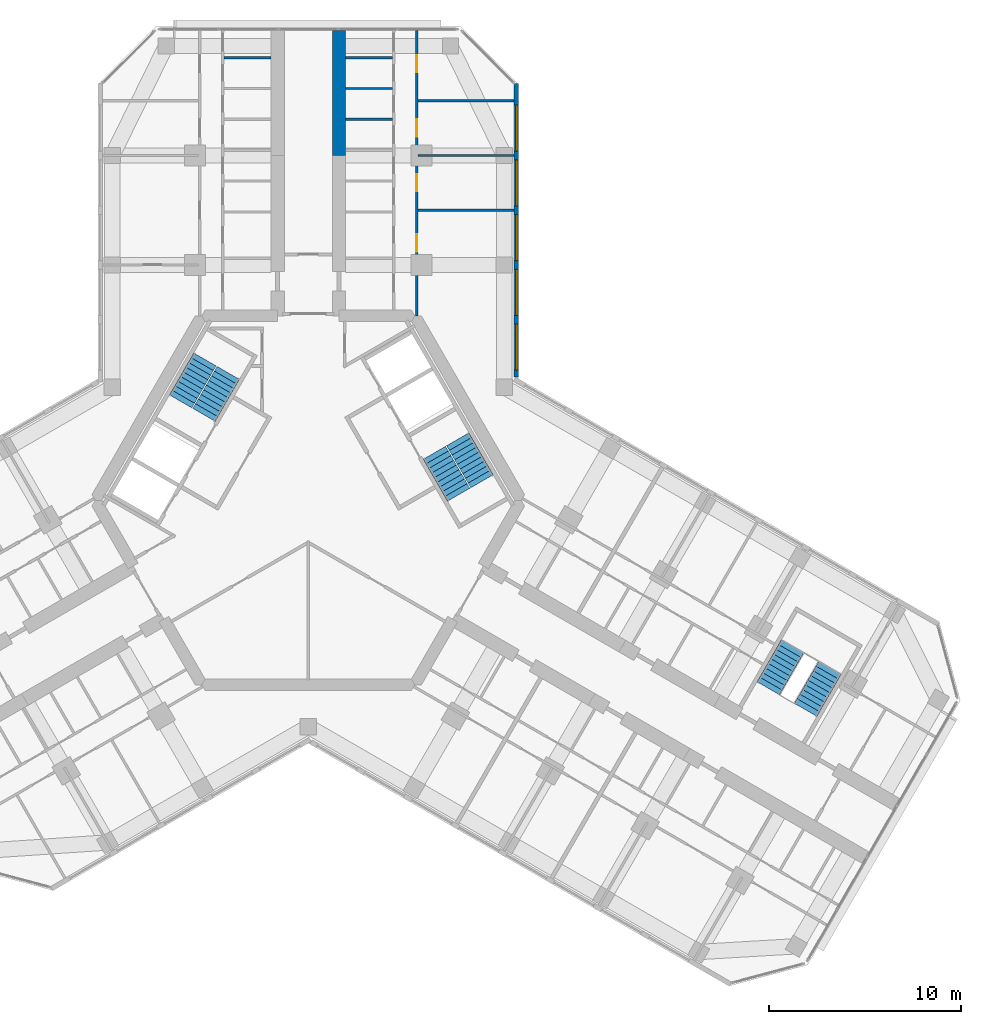
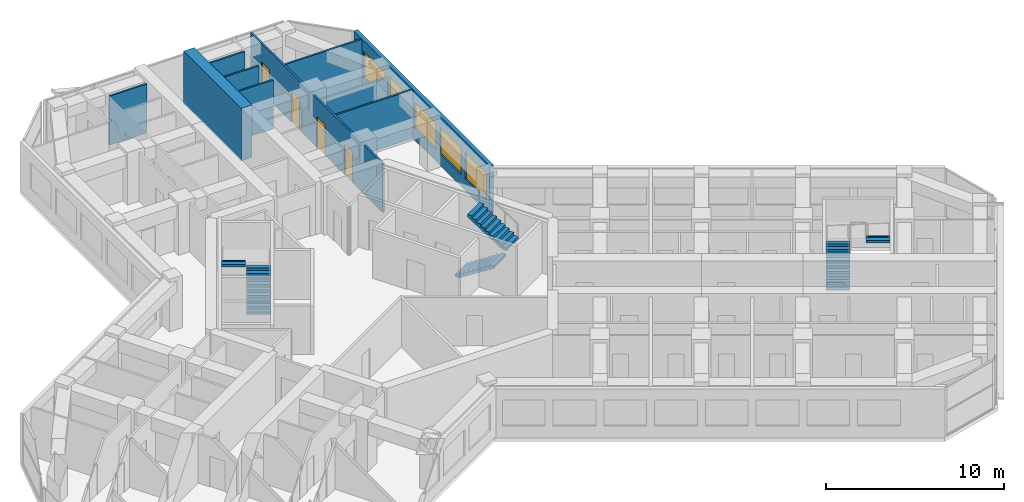
# One storey, part 15 of 16: 10 walls, 6 stair flights, 5 windows, 4 doors, 9 openings, 3 elements without a shape of their own.
"""IFC4 building model written with IfcOpenShell, lengths in metres."""

from ifc_helpers import new_model, si_unit, direction, frame, frame_2d, origin, place, context, subcontext, project, spatial, polyline, rectangle, outline, extrude, material, layer, layer_set, type_object, element, fill, aggregate, save


model = new_model("IFC4")

# Units and contexts
model_context = context("Model", 3, precision=1e-05, world=origin(), true_north=direction((0.0, 1.0)))
body_context = subcontext(model_context, "Body", "Model", "MODEL_VIEW")
ifc_project = project(units=[si_unit("LENGTHUNIT", "METRE"), si_unit("AREAUNIT", "SQUARE_METRE"), si_unit("VOLUMEUNIT", "CUBIC_METRE"), si_unit("PLANEANGLEUNIT", "RADIAN"), si_unit("MASSUNIT", "GRAM", prefix="KILO")], contexts=[model_context])

# Site, building, storey
site_placement = place(None, origin())
site = spatial("IfcSite", under=ifc_project, at=site_placement, CompositionType="ELEMENT")
building_placement = place(site_placement, origin())
building = spatial("IfcBuilding", under=site, at=building_placement, Name="Kosmar Iwan School Tower", CompositionType="ELEMENT")
storey_placement = place(building_placement, frame((0.0, 0.0, 253.199951171875)))
storey = spatial("IfcBuildingStorey", under=building, at=storey_placement, Name="L64", CompositionType="ELEMENT", Elevation=253.199951171875)

# Walls
ifc_material_1 = material(Name="Concrete C50/60", Category="concrete")
ifc_layer_1 = layer(ifc_material_1, 0.699951171875)
ifc_layer_set_1 = layer_set([ifc_layer_1], Name="Corridor buttress wall 700")
wall_type_1 = type_object("IfcWallType", Name="Corridor buttress wall 700", PredefinedType="SHEAR", material=ifc_layer_set_1)
wall_1_placement = place(storey_placement, frame((1.60009765625, 17.949951171875, 0.0), z_axis=(0.0, 0.0, 1.0), x_axis=(0.0, 1.0, 0.0)))
element("IfcWall", 1, at=wall_1_placement, inside=storey, type_object=wall_type_1, Name="Corridor wall AR bay 2", PredefinedType="SHEAR", context=body_context, shape_type="SweptSolid", body=[
    extrude(rectangle(XDim=6.4951171875, YDim=0.699951171875, at=frame_2d((3.24755859375, 0.0))), origin(), (0.0, 0.0, 1.0), 3.60009765625),
])
ifc_material_2 = material(Name="Gypsum board on steel studs", Category="steel")
ifc_layer_2 = layer(ifc_material_2, 0.1201171875)
ifc_layer_set_2 = layer_set([ifc_layer_2], Name="Dwelling partition 120")
wall_type_2 = type_object("IfcWallType", Name="Dwelling partition 120", PredefinedType="PARTITIONING", material=ifc_layer_set_2)
wall_2_placement = place(storey_placement, frame((-1.949951171875, 23.043212890625, 0.0), z_axis=(0.0, 0.0, 1.0), x_axis=(-1.0, 0.0, 0.0)))
element("IfcWall", 2, at=wall_2_placement, inside=storey, type_object=wall_type_2, Name="Partition L64-AL1-Y7", PredefinedType="PARTITIONING", context=body_context, shape_type="SweptSolid", body=[
    extrude(rectangle(XDim=2.43994140625, YDim=0.1201171875, at=frame_2d((1.219970703125, 0.0))), origin(), (0.0, 0.0, 1.0), 3.35009765625),
])

# Wall, openings, doors
wall_3_placement = place(storey_placement, frame((5.64990234375, 9.60009765625, 0.0), z_axis=(0.0, 0.0, 1.0), x_axis=(0.0, 1.0, 0.0)))
wall_3 = element("IfcWall", 3, at=wall_3_placement, inside=storey, type_object=wall_type_2, Name="Partition L64-AR1-W2", PredefinedType="PARTITIONING", context=body_context, shape_type="SweptSolid", body=[
    extrude(rectangle(XDim=14.844970703125, YDim=0.1201171875, at=frame_2d((7.42236328125, 0.0))), origin(), (0.0, 0.0, 1.0), 3.35009765625),
])
opening_1_placement = place(wall_3_placement, frame((3.35009765625, 0.0, 0.0)))
opening_1 = element("IfcOpeningElement", 4, at=opening_1_placement, cuts=wall_3, Name="Opening D2", PredefinedType="OPENING", context=body_context, shape_type="SweptSolid", body=[
    extrude(rectangle(XDim=0.89990234375, YDim=2.10009765625, at=frame_2d((0.449951171875, 1.050048828125))), frame((0.0, 0.072021484375, 0.0), z_axis=(0.0, -1.0, 0.0), x_axis=(1.0, 0.0, 0.0)), (0.0, 0.0, 1.0), 0.14404296875),
])
opening_2_placement = place(wall_3_placement, frame((6.47509765625, 0.0, 0.0)))
opening_2 = element("IfcOpeningElement", 5, at=opening_2_placement, cuts=wall_3, Name="Opening D2", PredefinedType="OPENING", context=body_context, shape_type="SweptSolid", body=[
    extrude(rectangle(XDim=0.89990234375, YDim=2.10009765625, at=frame_2d((0.449951171875, 1.050048828125))), frame((0.0, 0.072021484375, 0.0), z_axis=(0.0, -1.0, 0.0), x_axis=(1.0, 0.0, 0.0)), (0.0, 0.0, 1.0), 0.14404296875),
])
opening_3_placement = place(wall_3_placement, frame((9.324951171875, 0.0, 0.0)))
opening_3 = element("IfcOpeningElement", 6, at=opening_3_placement, cuts=wall_3, Name="Opening D2", PredefinedType="OPENING", context=body_context, shape_type="SweptSolid", body=[
    extrude(rectangle(XDim=0.89990234375, YDim=2.10009765625, at=frame_2d((0.449951171875, 1.050048828125))), frame((0.0, 0.072021484375, 0.0), z_axis=(0.0, -1.0, 0.0), x_axis=(1.0, 0.0, 0.0)), (0.0, 0.0, 1.0), 0.14404296875),
])
opening_4_placement = place(wall_3_placement, frame((12.675048828125, 0.0, 0.0)))
opening_4 = element("IfcOpeningElement", 7, at=opening_4_placement, cuts=wall_3, Name="Opening D2", PredefinedType="OPENING", context=body_context, shape_type="SweptSolid", body=[
    extrude(rectangle(XDim=0.89990234375, YDim=2.10009765625, at=frame_2d((0.449951171875, 1.050048828125))), frame((0.0, 0.072021484375, 0.0), z_axis=(0.0, -1.0, 0.0), x_axis=(1.0, 0.0, 0.0)), (0.0, 0.0, 1.0), 0.14404296875),
])
ifc_material_3 = material(Name="Timber door in timber frame", Category="wood")
door_type = type_object("IfcDoorType", Name="Internal door 900x2100", OperationType="SINGLE_SWING_LEFT", PredefinedType="DOOR", material=ifc_material_3)
door_1_placement = place(opening_1_placement, origin())
door_1 = element("IfcDoor", 8, at=door_1_placement, inside=storey, type_object=door_type, Name="Living room and kitchen door L64-AR1-F1", OperationType="SINGLE_SWING_LEFT", OverallHeight=2.10009765625, OverallWidth=0.89990234375, PredefinedType="DOOR", context=body_context, shape_type="SweptSolid", body=[
    extrude(rectangle(XDim=0.89990234375, YDim=2.10009765625, at=frame_2d((0.449951171875, 1.050048828125))), frame((0.0, 0.02490234375, 0.0), z_axis=(0.0, -1.0, 0.0), x_axis=(1.0, 0.0, 0.0)), (0.0, 0.0, 1.0), 0.050048828125),
])
fill(opening_1, door_1)
door_2_placement = place(opening_2_placement, origin())
door_2 = element("IfcDoor", 9, at=door_2_placement, inside=storey, type_object=door_type, Name="Grandparents' suite door L64-AR1-F2", OperationType="SINGLE_SWING_LEFT", OverallHeight=2.10009765625, OverallWidth=0.89990234375, PredefinedType="DOOR", context=body_context, shape_type="SweptSolid", body=[
    extrude(rectangle(XDim=0.89990234375, YDim=2.10009765625, at=frame_2d((0.449951171875, 1.050048828125))), frame((0.0, 0.02490234375, 0.0), z_axis=(0.0, -1.0, 0.0), x_axis=(1.0, 0.0, 0.0)), (0.0, 0.0, 1.0), 0.050048828125),
])
fill(opening_2, door_2)
door_3_placement = place(opening_3_placement, origin())
door_3 = element("IfcDoor", 10, at=door_3_placement, inside=storey, type_object=door_type, Name="Bedroom 1 door L64-AR1-F3", OperationType="SINGLE_SWING_RIGHT", OverallHeight=2.10009765625, OverallWidth=0.89990234375, PredefinedType="DOOR", context=body_context, shape_type="SweptSolid", body=[
    extrude(rectangle(XDim=0.89990234375, YDim=2.10009765625, at=frame_2d((0.449951171875, 1.050048828125))), frame((0.0, 0.02490234375, 0.0), z_axis=(0.0, -1.0, 0.0), x_axis=(1.0, 0.0, 0.0)), (0.0, 0.0, 1.0), 0.050048828125),
])
fill(opening_3, door_3)
door_4_placement = place(opening_4_placement, origin())
door_4 = element("IfcDoor", 11, at=door_4_placement, inside=storey, type_object=door_type, Name="Bedroom 2 door L64-AR1-F4", OperationType="SINGLE_SWING_RIGHT", OverallHeight=2.10009765625, OverallWidth=0.89990234375, PredefinedType="DOOR", context=body_context, shape_type="SweptSolid", body=[
    extrude(rectangle(XDim=0.89990234375, YDim=2.10009765625, at=frame_2d((0.449951171875, 1.050048828125))), frame((0.0, 0.02490234375, 0.0), z_axis=(0.0, -1.0, 0.0), x_axis=(1.0, 0.0, 0.0)), (0.0, 0.0, 1.0), 0.050048828125),
])
fill(opening_4, door_4)

# Walls
wall_4_placement = place(storey_placement, frame((5.7099609375, 15.10009765625, 0.0), z_axis=(0.0, 0.0, 1.0), x_axis=(1.0, 0.0, 0.0)))
element("IfcWall", 12, at=wall_4_placement, inside=storey, type_object=wall_type_2, Name="Partition L64-AR1-X1", PredefinedType="PARTITIONING", context=body_context, shape_type="SweptSolid", body=[
    extrude(rectangle(XDim=4.989990234375, YDim=0.1201171875, at=frame_2d((2.4951171875, 0.0))), origin(), (0.0, 0.0, 1.0), 3.35009765625),
])
wall_5_placement = place(storey_placement, frame((5.7099609375, 17.949951171875, 0.0), z_axis=(0.0, 0.0, 1.0), x_axis=(1.0, 0.0, 0.0)))
element("IfcWall", 13, at=wall_5_placement, inside=storey, type_object=wall_type_2, Name="Partition L64-AR1-X2", PredefinedType="PARTITIONING", context=body_context, shape_type="SweptSolid", body=[
    extrude(rectangle(XDim=4.989990234375, YDim=0.1201171875, at=frame_2d((2.4951171875, 0.0))), origin(), (0.0, 0.0, 1.0), 2.449951171875),
])
wall_6_placement = place(storey_placement, frame((5.7099609375, 20.800048828125, 0.0), z_axis=(0.0, 0.0, 1.0), x_axis=(1.0, 0.0, 0.0)))
element("IfcWall", 14, at=wall_6_placement, inside=storey, type_object=wall_type_2, Name="Partition L64-AR1-X3", PredefinedType="PARTITIONING", context=body_context, shape_type="SweptSolid", body=[
    extrude(rectangle(XDim=4.989990234375, YDim=0.1201171875, at=frame_2d((2.4951171875, 0.0))), origin(), (0.0, 0.0, 1.0), 3.35009765625),
])
for number, where, z_axis, x_axis, name in (
    (15, (1.949951171875, 19.830078125, 0.0), (0.0, 0.0, 1.0), (1.0, 0.0, 0.0), "Partition L64-AR1-Y5"),
    (16, (1.949951171875, 21.436767578125, 0.0), (0.0, 0.0, 1.0), (1.0, 0.0, 0.0), "Partition L64-AR1-Y6"),
    (17, (1.949951171875, 23.043212890625, 0.0), (0.0, 0.0, 1.0), (1.0, 0.0, 0.0), "Partition L64-AR1-Y7"),
):
    element("IfcWall", number, at=place(storey_placement, frame(where, z_axis=z_axis, x_axis=x_axis)), inside=storey, type_object=wall_type_2, Name=name, PredefinedType="PARTITIONING", context=body_context, shape_type="SweptSolid", body=[
        extrude(rectangle(XDim=2.43994140625, YDim=0.1201171875, at=frame_2d((1.219970703125, 0.0))), origin(), (0.0, 0.0, 1.0), 3.35009765625),
    ])

# Wall, openings, windows
ifc_material_4 = material(Name="Black aluminium rainscreen on insulated framing", Category="aluminium")
ifc_layer_3 = layer(ifc_material_4, 0.25)
ifc_layer_set_3 = layer_set([ifc_layer_3], Name="External wall rainscreen 250")
wall_type_3 = type_object("IfcWallType", Name="External wall rainscreen 250", PredefinedType="SOLIDWALL", material=ifc_layer_set_3)
wall_7_placement = place(storey_placement, frame((10.824951171875, 6.408935546875, 0.0), z_axis=(0.0, 0.0, 1.0), x_axis=(0.0, 1.0, 0.0)))
wall_7 = element("IfcWall", 18, at=wall_7_placement, inside=storey, type_object=wall_type_3, Name="External wall AR L64", PredefinedType="SOLIDWALL", context=body_context, shape_type="SweptSolid", body=[
    extrude(rectangle(XDim=15.2763671875, YDim=0.25, at=frame_2d((7.63818359375, 0.0))), origin(), (0.0, 0.0, 1.0), 3.35009765625),
])
opening_5_placement = place(wall_7_placement, frame((0.365966796875, 0.0, 0.800048828125)))
opening_5 = element("IfcOpeningElement", 19, at=opening_5_placement, cuts=wall_7, Name="Opening W5", PredefinedType="OPENING", context=body_context, shape_type="SweptSolid", body=[
    extrude(rectangle(XDim=2.39990234375, YDim=1.800048828125, at=frame_2d((1.199951171875, 0.89990234375))), frame((0.0, 0.136962890625, 0.0), z_axis=(0.0, -1.0, 0.0), x_axis=(1.0, 0.0, 0.0)), (0.0, 0.0, 1.0), 0.27392578125),
])
opening_6_placement = place(wall_7_placement, frame((3.216064453125, 0.0, 0.800048828125)))
opening_6 = element("IfcOpeningElement", 20, at=opening_6_placement, cuts=wall_7, Name="Opening W5", PredefinedType="OPENING", context=body_context, shape_type="SweptSolid", body=[
    extrude(rectangle(XDim=2.39990234375, YDim=1.800048828125, at=frame_2d((1.199951171875, 0.89990234375))), frame((0.0, 0.136962890625, 0.0), z_axis=(0.0, -1.0, 0.0), x_axis=(1.0, 0.0, 0.0)), (0.0, 0.0, 1.0), 0.27392578125),
])
opening_7_placement = place(wall_7_placement, frame((6.06591796875, 0.0, 0.800048828125)))
opening_7 = element("IfcOpeningElement", 21, at=opening_7_placement, cuts=wall_7, Name="Opening W5", PredefinedType="OPENING", context=body_context, shape_type="SweptSolid", body=[
    extrude(rectangle(XDim=2.39990234375, YDim=1.800048828125, at=frame_2d((1.199951171875, 0.89990234375))), frame((0.0, 0.136962890625, 0.0), z_axis=(0.0, -1.0, 0.0), x_axis=(1.0, 0.0, 0.0)), (0.0, 0.0, 1.0), 0.27392578125),
])
opening_8_placement = place(wall_7_placement, frame((8.916015625, 0.0, 0.800048828125)))
opening_8 = element("IfcOpeningElement", 22, at=opening_8_placement, cuts=wall_7, Name="Opening W5", PredefinedType="OPENING", context=body_context, shape_type="SweptSolid", body=[
    extrude(rectangle(XDim=2.39990234375, YDim=1.800048828125, at=frame_2d((1.199951171875, 0.89990234375))), frame((0.0, 0.136962890625, 0.0), z_axis=(0.0, -1.0, 0.0), x_axis=(1.0, 0.0, 0.0)), (0.0, 0.0, 1.0), 0.27392578125),
])
opening_9_placement = place(wall_7_placement, frame((11.76611328125, 0.0, 0.800048828125)))
opening_9 = element("IfcOpeningElement", 23, at=opening_9_placement, cuts=wall_7, Name="Opening W5", PredefinedType="OPENING", context=body_context, shape_type="SweptSolid", body=[
    extrude(rectangle(XDim=2.39990234375, YDim=1.800048828125, at=frame_2d((1.199951171875, 0.89990234375))), frame((0.0, 0.136962890625, 0.0), z_axis=(0.0, -1.0, 0.0), x_axis=(1.0, 0.0, 0.0)), (0.0, 0.0, 1.0), 0.27392578125),
])
ifc_material_5 = material(Name="Black aluminium frame with dark triple glazing", Category="aluminium")
window_type = type_object("IfcWindowType", Name="Window 2400x1800", PartitioningType="SINGLE_PANEL", PredefinedType="WINDOW", material=ifc_material_5)
window_1_placement = place(opening_5_placement, origin())
window_1 = element("IfcWindow", 24, at=window_1_placement, inside=storey, type_object=window_type, Name="Window AR L64 -1", OverallHeight=1.800048828125, OverallWidth=2.39990234375, PartitioningType="SINGLE_PANEL", PredefinedType="WINDOW", context=body_context, shape_type="SweptSolid", body=[
    extrude(rectangle(XDim=2.39990234375, YDim=1.800048828125, at=frame_2d((1.199951171875, 0.89990234375))), frame((0.0, 0.030029296875, 0.0), z_axis=(0.0, -1.0, 0.0), x_axis=(1.0, 0.0, 0.0)), (0.0, 0.0, 1.0), 0.06005859375),
])
fill(opening_5, window_1)
window_2_placement = place(opening_6_placement, origin())
window_2 = element("IfcWindow", 25, at=window_2_placement, inside=storey, type_object=window_type, Name="Window AR L64 0", OverallHeight=1.800048828125, OverallWidth=2.39990234375, PartitioningType="SINGLE_PANEL", PredefinedType="WINDOW", context=body_context, shape_type="SweptSolid", body=[
    extrude(rectangle(XDim=2.39990234375, YDim=1.800048828125, at=frame_2d((1.199951171875, 0.89990234375))), frame((0.0, 0.030029296875, 0.0), z_axis=(0.0, -1.0, 0.0), x_axis=(1.0, 0.0, 0.0)), (0.0, 0.0, 1.0), 0.06005859375),
])
fill(opening_6, window_2)
window_3_placement = place(opening_7_placement, origin())
window_3 = element("IfcWindow", 26, at=window_3_placement, inside=storey, type_object=window_type, Name="Window AR L64 1", OverallHeight=1.800048828125, OverallWidth=2.39990234375, PartitioningType="SINGLE_PANEL", PredefinedType="WINDOW", context=body_context, shape_type="SweptSolid", body=[
    extrude(rectangle(XDim=2.39990234375, YDim=1.800048828125, at=frame_2d((1.199951171875, 0.89990234375))), frame((0.0, 0.030029296875, 0.0), z_axis=(0.0, -1.0, 0.0), x_axis=(1.0, 0.0, 0.0)), (0.0, 0.0, 1.0), 0.06005859375),
])
fill(opening_7, window_3)
window_4_placement = place(opening_8_placement, origin())
window_4 = element("IfcWindow", 27, at=window_4_placement, inside=storey, type_object=window_type, Name="Window AR L64 2", OverallHeight=1.800048828125, OverallWidth=2.39990234375, PartitioningType="SINGLE_PANEL", PredefinedType="WINDOW", context=body_context, shape_type="SweptSolid", body=[
    extrude(rectangle(XDim=2.39990234375, YDim=1.800048828125, at=frame_2d((1.199951171875, 0.89990234375))), frame((0.0, 0.030029296875, 0.0), z_axis=(0.0, -1.0, 0.0), x_axis=(1.0, 0.0, 0.0)), (0.0, 0.0, 1.0), 0.06005859375),
])
fill(opening_8, window_4)
window_5_placement = place(opening_9_placement, origin())
window_5 = element("IfcWindow", 28, at=window_5_placement, inside=storey, type_object=window_type, Name="Window AR L64 3", OverallHeight=1.800048828125, OverallWidth=2.39990234375, PartitioningType="SINGLE_PANEL", PredefinedType="WINDOW", context=body_context, shape_type="SweptSolid", body=[
    extrude(rectangle(XDim=2.39990234375, YDim=1.800048828125, at=frame_2d((1.199951171875, 0.89990234375))), frame((0.0, 0.030029296875, 0.0), z_axis=(0.0, -1.0, 0.0), x_axis=(1.0, 0.0, 0.0)), (0.0, 0.0, 1.0), 0.06005859375),
])
fill(opening_9, window_5)

# Stair, stair flights
ifc_material_6 = material(Name="Concrete C35/45", Category="concrete")
stair_type_1 = type_object("IfcStairType", Name="Escape stair 3600", PredefinedType="HALF_TURN_STAIR", material=ifc_material_6)
stair_1_placement = place(storey_placement, origin())
stair_1 = element("IfcStair", 29, at=stair_1_placement, inside=storey, type_object=stair_type_1, Name="Stair WS3 L64", PredefinedType="HALF_TURN_STAIR")
ifc_material_7 = material(Name="Concrete C35/45", Category="concrete")
stair_flight_type_1 = type_object("IfcStairFlightType", Name="Escape stair flight 1350", PredefinedType="STRAIGHT", material=ifc_material_7)
stair_flight_1_placement = place(storey_placement, frame((23.94189453125, -9.781494140625, 0.0), z_axis=(0.0, 0.0, 1.0), x_axis=(0.5, 0.866025403784, 0.0)))
stair_flight_1 = element("IfcStairFlight", 30, at=stair_flight_1_placement, type_object=stair_flight_type_1, Name="WS3 flight 1", NumberOfRisers=10, NumberOfTreads=9, PredefinedType="STRAIGHT", RiserHeight=0.18, TreadLength=0.28, context=body_context, shape_type="SweptSolid", body=[
    extrude(outline(polyline([(0.0, 0.0), (0.0, 0.179931640625), (0.280029296875, 0.179931640625), (0.280029296875, 0.360107421875), (0.56005859375, 0.360107421875), (0.56005859375, 0.5400390625), (0.840087890625, 0.5400390625), (0.840087890625, 0.719970703125), (1.1201171875, 0.719970703125), (1.1201171875, 0.89990234375), (1.39990234375, 0.89990234375), (1.39990234375, 1.080078125), (1.679931640625, 1.080078125), (1.679931640625, 1.260009765625), (1.9599609375, 1.260009765625), (1.9599609375, 1.43994140625), (2.239990234375, 1.43994140625), (2.239990234375, 1.6201171875), (2.52001953125, 1.6201171875), (2.52001953125, 1.800048828125), (2.52001953125, 1.44189453125), (0.277099609375, 0.0), (0.0, 0.0)])), frame((0.0, 0.675048828125, 0.0), z_axis=(0.0, -1.0, 0.0), x_axis=(1.0, 0.0, 0.0)), (0.0, 0.0, 1.0), 1.35009765625),
])
stair_flight_2_placement = place(storey_placement, frame((27.150390625, -8.72412109375, 1.800048828125), z_axis=(0.0, 0.0, 1.0), x_axis=(-0.5, -0.866025403784, 0.0)))
stair_flight_2 = element("IfcStairFlight", 31, at=stair_flight_2_placement, type_object=stair_flight_type_1, Name="WS3 flight 2", NumberOfRisers=10, NumberOfTreads=9, PredefinedType="STRAIGHT", RiserHeight=0.18, TreadLength=0.28, context=body_context, shape_type="SweptSolid", body=[
    extrude(outline(polyline([(0.0, 0.0), (0.0, 0.179931640625), (0.280029296875, 0.179931640625), (0.280029296875, 0.360107421875), (0.56005859375, 0.360107421875), (0.56005859375, 0.5400390625), (0.840087890625, 0.5400390625), (0.840087890625, 0.719970703125), (1.1201171875, 0.719970703125), (1.1201171875, 0.89990234375), (1.39990234375, 0.89990234375), (1.39990234375, 1.080078125), (1.679931640625, 1.080078125), (1.679931640625, 1.260009765625), (1.9599609375, 1.260009765625), (1.9599609375, 1.43994140625), (2.239990234375, 1.43994140625), (2.239990234375, 1.6201171875), (2.52001953125, 1.6201171875), (2.52001953125, 1.800048828125), (2.52001953125, 1.44189453125), (0.277099609375, 0.0), (0.0, 0.0)])), frame((0.0, 0.675048828125, 0.0), z_axis=(0.0, -1.0, 0.0), x_axis=(1.0, 0.0, 0.0)), (0.0, 0.0, 1.0), 1.35009765625),
])
aggregate(stair_1, [stair_flight_1, stair_flight_2])

ifc_material_8 = material(Name="Concrete C35/45", Category="concrete")
stair_type_2 = type_object("IfcStairType", Name="Core stair 2750", PredefinedType="HALF_TURN_STAIR", material=ifc_material_8)
stair_2_placement = place(storey_placement, origin())
stair_2 = element("IfcStair", 32, at=stair_2_placement, inside=storey, type_object=stair_type_2, Name="Stair ST2 L64", PredefinedType="HALF_TURN_STAIR")
ifc_material_9 = material(Name="Concrete C35/45", Category="concrete")
stair_flight_type_2 = type_object("IfcStairFlightType", Name="Stair flight 1350", PredefinedType="STRAIGHT", material=ifc_material_9)
stair_flight_3_placement = place(storey_placement, frame((-5.42724609375, 4.44970703125, 0.0), z_axis=(0.0, 0.0, 1.0), x_axis=(0.5, 0.866025403784, 0.0)))
stair_flight_3 = element("IfcStairFlight", 33, at=stair_flight_3_placement, type_object=stair_flight_type_2, Name="ST2 flight 1", NumberOfRisers=10, NumberOfTreads=9, PredefinedType="STRAIGHT", RiserHeight=0.18, TreadLength=0.28, context=body_context, shape_type="SweptSolid", body=[
    extrude(outline(polyline([(0.0, 0.0), (0.0, 0.179931640625), (0.280029296875, 0.179931640625), (0.280029296875, 0.360107421875), (0.56005859375, 0.360107421875), (0.56005859375, 0.5400390625), (0.840087890625, 0.5400390625), (0.840087890625, 0.719970703125), (1.1201171875, 0.719970703125), (1.1201171875, 0.89990234375), (1.39990234375, 0.89990234375), (1.39990234375, 1.080078125), (1.679931640625, 1.080078125), (1.679931640625, 1.260009765625), (1.9599609375, 1.260009765625), (1.9599609375, 1.43994140625), (2.239990234375, 1.43994140625), (2.239990234375, 1.6201171875), (2.52001953125, 1.6201171875), (2.52001953125, 1.800048828125), (2.52001953125, 1.44189453125), (0.277099609375, 0.0), (0.0, 0.0)])), frame((0.0, 0.675048828125, 0.0), z_axis=(0.0, -1.0, 0.0), x_axis=(1.0, 0.0, 0.0)), (0.0, 0.0, 1.0), 1.35009765625),
])
stair_flight_4_placement = place(storey_placement, frame((-5.379638671875, 7.33203125, 1.800048828125), z_axis=(0.0, 0.0, 1.0), x_axis=(-0.5, -0.866025403784, 0.0)))
stair_flight_4 = element("IfcStairFlight", 34, at=stair_flight_4_placement, type_object=stair_flight_type_2, Name="ST2 flight 2", NumberOfRisers=10, NumberOfTreads=9, PredefinedType="STRAIGHT", RiserHeight=0.18, TreadLength=0.28, context=body_context, shape_type="SweptSolid", body=[
    extrude(outline(polyline([(0.0, 0.0), (0.0, 0.179931640625), (0.280029296875, 0.179931640625), (0.280029296875, 0.360107421875), (0.56005859375, 0.360107421875), (0.56005859375, 0.5400390625), (0.840087890625, 0.5400390625), (0.840087890625, 0.719970703125), (1.1201171875, 0.719970703125), (1.1201171875, 0.89990234375), (1.39990234375, 0.89990234375), (1.39990234375, 1.080078125), (1.679931640625, 1.080078125), (1.679931640625, 1.260009765625), (1.9599609375, 1.260009765625), (1.9599609375, 1.43994140625), (2.239990234375, 1.43994140625), (2.239990234375, 1.6201171875), (2.52001953125, 1.6201171875), (2.52001953125, 1.800048828125), (2.52001953125, 1.44189453125), (0.277099609375, 0.0), (0.0, 0.0)])), frame((0.0, 0.675048828125, 0.0), z_axis=(0.0, -1.0, 0.0), x_axis=(1.0, 0.0, 0.0)), (0.0, 0.0, 1.0), 1.35009765625),
])
aggregate(stair_2, [stair_flight_3, stair_flight_4])

stair_3_placement = place(storey_placement, origin())
stair_3 = element("IfcStair", 35, at=stair_3_placement, inside=storey, type_object=stair_type_2, Name="Stair ST1 L64", PredefinedType="HALF_TURN_STAIR")
stair_flight_5_placement = place(storey_placement, frame((6.567138671875, 2.475341796875, 0.0), z_axis=(0.0, 0.0, 1.0), x_axis=(0.5, -0.866025403784, 0.0)))
stair_flight_5 = element("IfcStairFlight", 36, at=stair_flight_5_placement, type_object=stair_flight_type_2, Name="ST1 flight 1", NumberOfRisers=10, NumberOfTreads=9, PredefinedType="STRAIGHT", RiserHeight=0.18, TreadLength=0.28, context=body_context, shape_type="SweptSolid", body=[
    extrude(outline(polyline([(0.0, 0.0), (0.0, 0.179931640625), (0.280029296875, 0.179931640625), (0.280029296875, 0.360107421875), (0.56005859375, 0.360107421875), (0.56005859375, 0.5400390625), (0.840087890625, 0.5400390625), (0.840087890625, 0.719970703125), (1.1201171875, 0.719970703125), (1.1201171875, 0.89990234375), (1.39990234375, 0.89990234375), (1.39990234375, 1.080078125), (1.679931640625, 1.080078125), (1.679931640625, 1.260009765625), (1.9599609375, 1.260009765625), (1.9599609375, 1.43994140625), (2.239990234375, 1.43994140625), (2.239990234375, 1.6201171875), (2.52001953125, 1.6201171875), (2.52001953125, 1.800048828125), (2.52001953125, 1.44189453125), (0.277099609375, 0.0), (0.0, 0.0)])), frame((0.0, 0.675048828125, 0.0), z_axis=(0.0, -1.0, 0.0), x_axis=(1.0, 0.0, 0.0)), (0.0, 0.0, 1.0), 1.35009765625),
])
stair_flight_6_placement = place(storey_placement, frame((9.03955078125, 0.992919921875, 1.800048828125), z_axis=(0.0, 0.0, 1.0), x_axis=(-0.5, 0.866025403784, 0.0)))
stair_flight_6 = element("IfcStairFlight", 37, at=stair_flight_6_placement, type_object=stair_flight_type_2, Name="ST1 flight 2", NumberOfRisers=10, NumberOfTreads=9, PredefinedType="STRAIGHT", RiserHeight=0.18, TreadLength=0.28, context=body_context, shape_type="SweptSolid", body=[
    extrude(outline(polyline([(0.0, 0.0), (0.0, 0.179931640625), (0.280029296875, 0.179931640625), (0.280029296875, 0.360107421875), (0.56005859375, 0.360107421875), (0.56005859375, 0.5400390625), (0.840087890625, 0.5400390625), (0.840087890625, 0.719970703125), (1.1201171875, 0.719970703125), (1.1201171875, 0.89990234375), (1.39990234375, 0.89990234375), (1.39990234375, 1.080078125), (1.679931640625, 1.080078125), (1.679931640625, 1.260009765625), (1.9599609375, 1.260009765625), (1.9599609375, 1.43994140625), (2.239990234375, 1.43994140625), (2.239990234375, 1.6201171875), (2.52001953125, 1.6201171875), (2.52001953125, 1.800048828125), (2.52001953125, 1.44189453125), (0.277099609375, 0.0), (0.0, 0.0)])), frame((0.0, 0.675048828125, 0.0), z_axis=(0.0, -1.0, 0.0), x_axis=(1.0, 0.0, 0.0)), (0.0, 0.0, 1.0), 1.35009765625),
])
aggregate(stair_3, [stair_flight_5, stair_flight_6])

save(model, "model.ifc")
